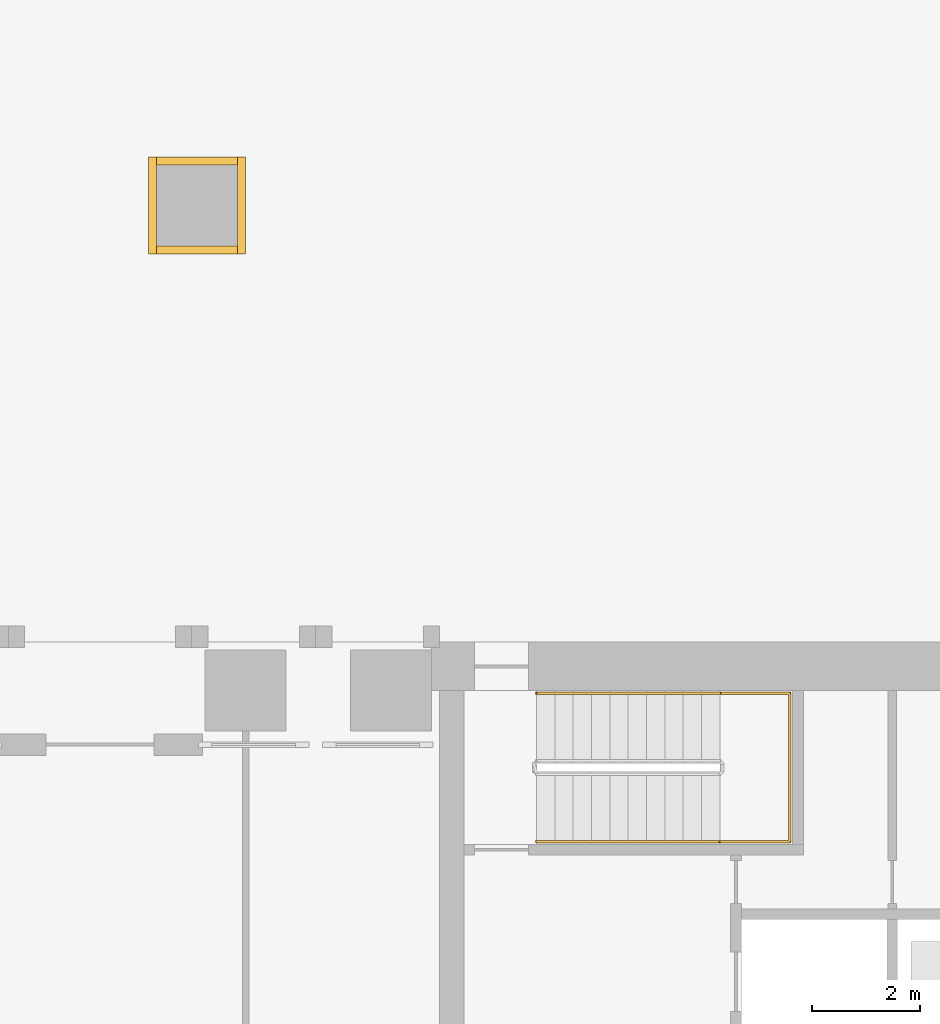
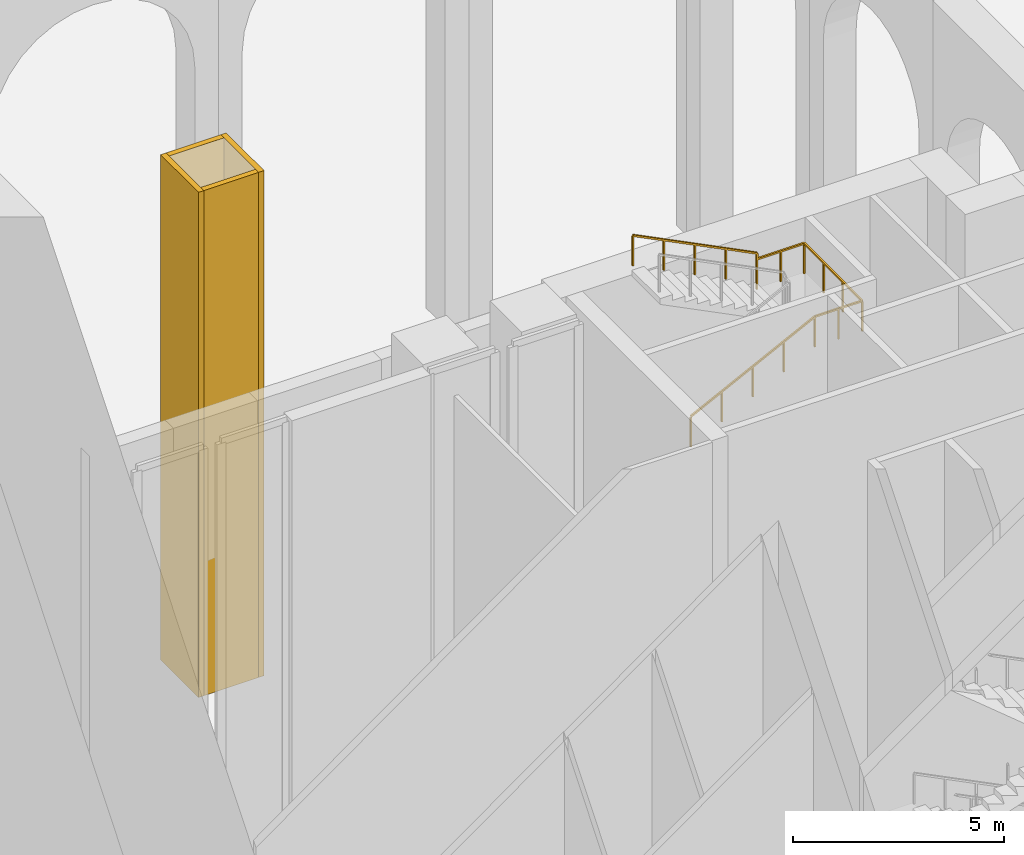
# One storey, part 17 of 18: 4 coverings, 1 railing.
"""IFC4 building model written with IfcOpenShell, lengths in metres."""

from ifc_helpers import new_model, si_unit, direction, frame, origin, origin_2d, place, context, subcontext, project, spatial, rectangle, extrude, material, layer, layer_set, type_object, element, save


model = new_model("IFC4")

# Units and contexts
model_context = context("Model", 3, precision=1e-05, world=origin(), true_north=direction((0.0, 1.0)))
body_context = subcontext(model_context, "Body", "Model", "MODEL_VIEW")
ifc_project = project(units=[si_unit("LENGTHUNIT", "METRE"), si_unit("AREAUNIT", "SQUARE_METRE"), si_unit("VOLUMEUNIT", "CUBIC_METRE"), si_unit("PLANEANGLEUNIT", "RADIAN"), si_unit("MASSUNIT", "GRAM", prefix="KILO")], contexts=[model_context])

# Site, building, storey
site_placement = place(None, origin())
site = spatial("IfcSite", under=ifc_project, at=site_placement, CompositionType="ELEMENT")
building_placement = place(site_placement, origin())
building = spatial("IfcBuilding", under=site, at=building_placement, Name="Perihelion Cross Residences", CompositionType="ELEMENT")
storey_placement = place(building_placement, origin())
storey = spatial("IfcBuildingStorey", under=building, at=storey_placement, Name="L00", CompositionType="ELEMENT", Elevation=0.0)

# Coverings
ifc_material_1 = material(Name="Bronze anodised aluminium", Category="aluminium")
ifc_layer = layer(ifc_material_1, 0.14990234375)
ifc_layer_set = layer_set([ifc_layer], Name="Bronze clad corner pier 150")
covering_type = type_object("IfcCoveringType", Name="Bronze clad corner pier 150", PredefinedType="CLADDING", material=ifc_layer_set)
covering_1_placement = place(storey_placement, frame((17.925048828125, 17.10009765625, 0.06005859375), z_axis=(0.0, 0.0, 1.0), x_axis=(1.0, 0.0, 0.0)))
element("IfcCovering", 1, at=covering_1_placement, inside=storey, type_object=covering_type, Name="Cladding CP1 L00 casing east-west no. 4", PredefinedType="CLADDING", context=body_context, shape_type="SweptSolid", body=[
    extrude(rectangle(XDim=0.14990234375, YDim=1.800048828125, at=origin_2d()), origin(), (0.0, 0.0, 1.0), 14.639892578125),
])
covering_2_placement = place(storey_placement, frame((17.10009765625, 17.925048828125, 0.06005859375), z_axis=(0.0, 0.0, 1.0), x_axis=(1.0, 0.0, 0.0)))
element("IfcCovering", 2, at=covering_2_placement, inside=storey, type_object=covering_type, Name="Cladding CP1 L00 casing north-south no. 4", PredefinedType="CLADDING", context=body_context, shape_type="SweptSolid", body=[
    extrude(rectangle(XDim=1.5, YDim=0.14990234375, at=origin_2d()), origin(), (0.0, 0.0, 1.0), 14.639892578125),
])
covering_3_placement = place(storey_placement, frame((16.27490234375, 17.10009765625, 0.06005859375), z_axis=(0.0, 0.0, 1.0), x_axis=(1.0, 0.0, 0.0)))
element("IfcCovering", 3, at=covering_3_placement, inside=storey, type_object=covering_type, Name="Cladding CP1 L00 casing inner east-west no. 4", PredefinedType="CLADDING", context=body_context, shape_type="SweptSolid", body=[
    extrude(rectangle(XDim=0.14990234375, YDim=1.800048828125, at=origin_2d()), origin(), (0.0, 0.0, 1.0), 14.639892578125),
])
covering_4_placement = place(storey_placement, frame((17.10009765625, 16.27490234375, 0.06005859375), z_axis=(0.0, 0.0, 1.0), x_axis=(1.0, 0.0, 0.0)))
element("IfcCovering", 4, at=covering_4_placement, inside=storey, type_object=covering_type, Name="Cladding CP1 L00 casing inner north-south no. 4", PredefinedType="CLADDING", context=body_context, shape_type="SweptSolid", body=[
    extrude(rectangle(XDim=1.5, YDim=0.14990234375, at=origin_2d()), origin(), (0.0, 0.0, 1.0), 14.639892578125),
])

# Railing
ifc_material_2 = material(Name="Stainless steel", Category="steel")
railing_type = type_object("IfcRailingType", Name="Stair handrail 900", PredefinedType="HANDRAIL", material=ifc_material_2)
railing_placement = place(storey_placement, frame((23.39990234375, 5.300048828125, 11.42041015625)))
element("IfcRailing", 5, at=railing_placement, inside=storey, type_object=railing_type, Name="L00 ST-E1 stair handrail 4", PredefinedType="HANDRAIL", context=body_context, shape_type="SweptSolid", body=[
    extrude(rectangle(XDim=0.048095703125, YDim=0.048095703125, at=origin_2d()), frame((0.0, 0.0, 0.8759765625), z_axis=(0.893951692422, 0.0, 0.448163331406), x_axis=(0.0, 1.0, 0.0)), (0.0, 0.0, 1.0), 3.803466796875),
    extrude(rectangle(XDim=0.048095703125, YDim=0.048095703125, at=origin_2d()), frame((3.400146484375, 0.0, 2.58056640625), z_axis=(1.0, 0.0, 0.0), x_axis=(0.0, 1.0, 0.0)), (0.0, 0.0, 1.0), 1.300048828125),
    extrude(rectangle(XDim=0.048095703125, YDim=0.048095703125, at=origin_2d()), frame((4.7001953125, 0.0, 2.58056640625), z_axis=(0.0, 1.0, 0.0), x_axis=(-1.0, 0.0, 0.0)), (0.0, 0.0, 1.0), 2.75),
    extrude(rectangle(XDim=0.048095703125, YDim=0.048095703125, at=origin_2d()), frame((4.7001953125, 2.75, 2.58056640625), z_axis=(-1.0, 0.0, 0.0), x_axis=(0.0, -1.0, 0.0)), (0.0, 0.0, 1.0), 1.300048828125),
    extrude(rectangle(XDim=0.048095703125, YDim=0.048095703125, at=origin_2d()), frame((3.400146484375, 2.75, 2.58056640625), z_axis=(0.0, 0.0, 1.0), x_axis=(1.0, 0.0, 0.0)), (0.0, 0.0, 1.0), 0.17041015625),
    extrude(rectangle(XDim=0.048095703125, YDim=0.048095703125, at=origin_2d()), frame((3.400146484375, 2.75, 2.7509765625), z_axis=(-0.893951692422, 0.0, 0.448163331406), x_axis=(0.0, -1.0, 0.0)), (0.0, 0.0, 1.0), 3.803466796875),
    extrude(rectangle(XDim=0.0419921875, YDim=0.0419921875, at=origin_2d()), origin(), (0.0, 0.0, 1.0), 0.851806640625),
    extrude(rectangle(XDim=0.0419921875, YDim=0.0419921875, at=origin_2d()), frame((0.85009765625, 0.0, 0.42626953125)), (0.0, 0.0, 1.0), 0.851806640625),
    extrude(rectangle(XDim=0.0419921875, YDim=0.0419921875, at=origin_2d()), frame((1.7001953125, 0.0, 0.852294921875)), (0.0, 0.0, 1.0), 0.851806640625),
    extrude(rectangle(XDim=0.0419921875, YDim=0.0419921875, at=origin_2d()), frame((2.550048828125, 0.0, 1.2783203125)), (0.0, 0.0, 1.0), 0.851806640625),
    extrude(rectangle(XDim=0.0419921875, YDim=0.0419921875, at=origin_2d()), frame((3.400146484375, 0.0, 1.70458984375)), (0.0, 0.0, 1.0), 0.851806640625),
    extrude(rectangle(XDim=0.0419921875, YDim=0.0419921875, at=origin_2d()), frame((4.05029296875, 0.0, 1.70458984375)), (0.0, 0.0, 1.0), 0.851806640625),
    extrude(rectangle(XDim=0.0419921875, YDim=0.0419921875, at=origin_2d()), frame((4.7001953125, 0.0, 1.70458984375)), (0.0, 0.0, 1.0), 0.851806640625),
    extrude(rectangle(XDim=0.0419921875, YDim=0.0419921875, at=origin_2d()), frame((4.7001953125, 0.916748046875, 1.70458984375)), (0.0, 0.0, 1.0), 0.851806640625),
    extrude(rectangle(XDim=0.0419921875, YDim=0.0419921875, at=origin_2d()), frame((4.7001953125, 1.833251953125, 1.70458984375)), (0.0, 0.0, 1.0), 0.851806640625),
    extrude(rectangle(XDim=0.0419921875, YDim=0.0419921875, at=origin_2d()), frame((4.7001953125, 2.75, 1.70458984375)), (0.0, 0.0, 1.0), 0.851806640625),
    extrude(rectangle(XDim=0.0419921875, YDim=0.0419921875, at=origin_2d()), frame((4.05029296875, 2.75, 1.70458984375)), (0.0, 0.0, 1.0), 0.851806640625),
    extrude(rectangle(XDim=0.0419921875, YDim=0.0419921875, at=origin_2d()), frame((3.400146484375, 2.75, 1.70458984375)), (0.0, 0.0, 1.0), 0.851806640625),
    extrude(rectangle(XDim=0.0419921875, YDim=0.0419921875, at=origin_2d()), frame((3.400146484375, 2.75, 1.875)), (0.0, 0.0, 1.0), 0.851806640625),
    extrude(rectangle(XDim=0.0419921875, YDim=0.0419921875, at=origin_2d()), frame((2.550048828125, 2.75, 2.30126953125)), (0.0, 0.0, 1.0), 0.851806640625),
    extrude(rectangle(XDim=0.0419921875, YDim=0.0419921875, at=origin_2d()), frame((1.7001953125, 2.75, 2.727294921875)), (0.0, 0.0, 1.0), 0.851806640625),
    extrude(rectangle(XDim=0.0419921875, YDim=0.0419921875, at=origin_2d()), frame((0.85009765625, 2.75, 3.1533203125)), (0.0, 0.0, 1.0), 0.851806640625),
    extrude(rectangle(XDim=0.0419921875, YDim=0.0419921875, at=origin_2d()), frame((0.0, 2.75, 3.57958984375)), (0.0, 0.0, 1.0), 0.851806640625),
])

save(model, "model.ifc")
